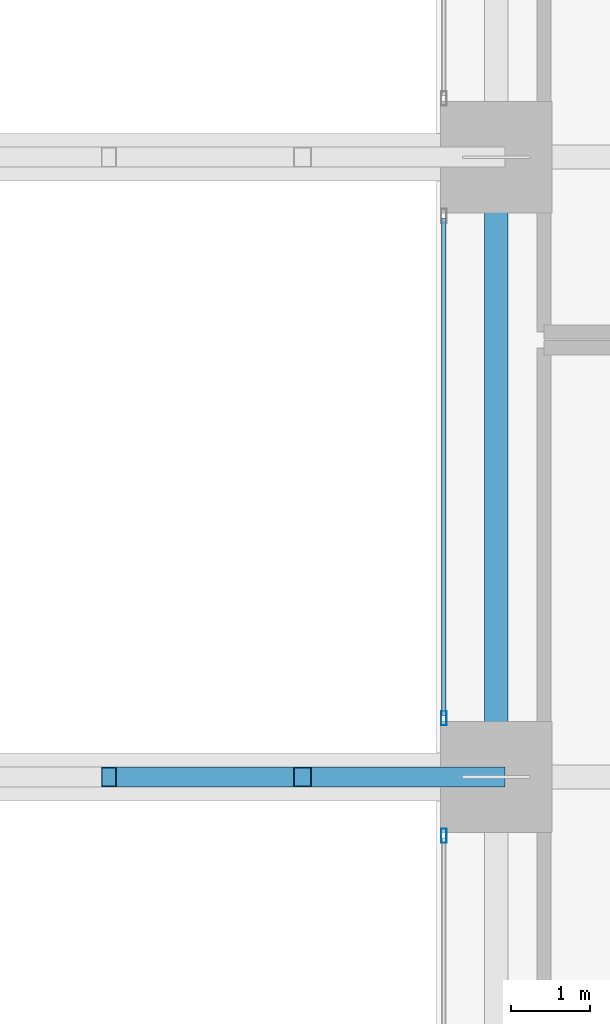
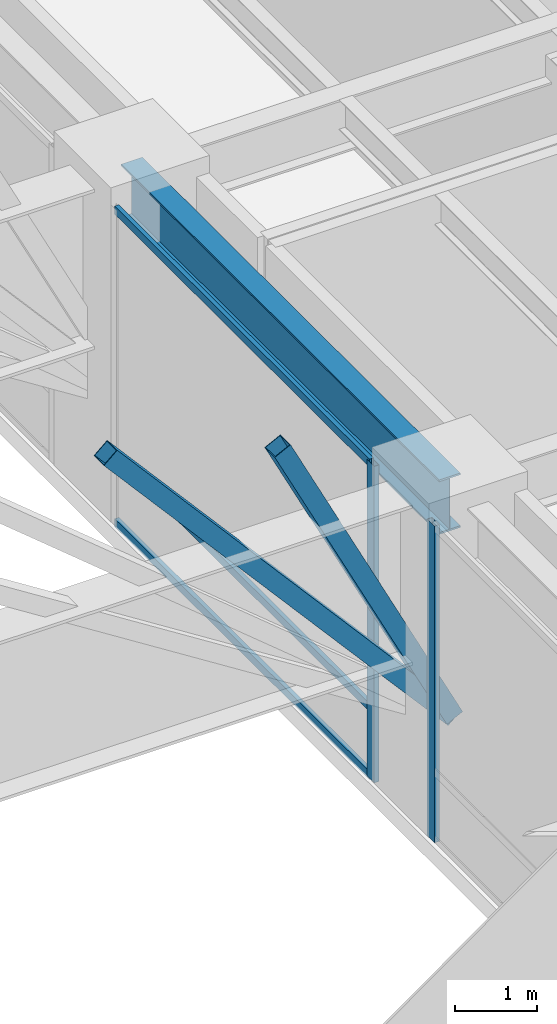
# One storey, part 16 of 39: 7 members, 1 beam, 2 elements without a shape of their own.
"""IFC4 building model written with IfcOpenShell, lengths in metres."""

import ifcopenshell
import ifcopenshell.guid

model = None  # the IFC model being written
_history = None  # IfcOwnerHistory: only IFC2X3 demands one
_inside = {}  # id of a spatial element -> (the spatial element, [elements in it])
_under = {}  # id of a project, library or spatial element -> (it, [spatial elements below it])
_declared = {}  # id of a project -> (the project, [libraries it declares])
_typed = {}  # id of a type object -> (the type object, [elements of that type])
_made_of = {}  # id of a material, layer set ... -> (it, [elements and type objects made of it])


def new_model(schema):
    """Start an empty IFC model of exactly this schema.

    Asked for "IFC4X3", IfcOpenShell would pick the latest addendum, in which some entities
    have other attributes; the version numbers below select the first issue.
    IFC2X3 requires an IfcOwnerHistory on every rooted entity: one is made here for all.
    """
    global model, _history
    if schema == "IFC4X3":
        model = ifcopenshell.file(schema_version=(4, 3, 0, 0))
    else:
        model = ifcopenshell.file(schema=schema)
    _inside.clear()
    _under.clear()
    _declared.clear()
    _typed.clear()
    _made_of.clear()
    _history = None
    if model.schema == "IFC2X3":
        org = make("IfcOrganization", Name="unknown")
        user = make(
            "IfcPersonAndOrganization",
            ThePerson=make("IfcPerson", FamilyName="unknown"),
            TheOrganization=org,
        )
        app = make(
            "IfcApplication",
            ApplicationDeveloper=org,
            Version="unknown",
            ApplicationFullName="unknown",
            ApplicationIdentifier="unknown",
        )
        _history = make(
            "IfcOwnerHistory",
            OwningUser=user,
            OwningApplication=app,
            ChangeAction="ADDED",
            CreationDate=0,
        )
    return model


def make(cls, **values):
    """One entity of the class cls with the attributes given. An attribute that is None is left unset."""
    return model.create_entity(
        cls, **{name: value for name, value in values.items() if value is not None}
    )


def rooted(cls, **values):
    """An entity with a GlobalId (a new one), such as an element, a storey or a relation."""
    return make(cls, GlobalId=ifcopenshell.guid.new(), OwnerHistory=_history, **values)


def si_unit(unit_type, name, prefix=None):
    """IfcSIUnit, for example si_unit("LENGTHUNIT", "METRE", prefix="MILLI")."""
    return make("IfcSIUnit", UnitType=unit_type, Prefix=prefix, Name=name)


def assignment(units):
    """IfcUnitAssignment: the units of a project."""
    return None if units is None else make("IfcUnitAssignment", Units=units)


def point(xyz):
    """IfcCartesianPoint."""
    return None if xyz is None else make("IfcCartesianPoint", Coordinates=xyz)


def direction(xyz):
    """IfcDirection."""
    return None if xyz is None else make("IfcDirection", DirectionRatios=xyz)


def frame(location, z_axis=None, x_axis=None):
    """IfcAxis2Placement3D, a coordinate frame: its origin and axes. An axis left out is left unset."""
    return make(
        "IfcAxis2Placement3D",
        Location=point(location),
        Axis=direction(z_axis),
        RefDirection=direction(x_axis),
    )


def frame_2d(location, x_axis=None):
    """IfcAxis2Placement2D, a coordinate frame in the plane: its origin and x axis."""
    return make(
        "IfcAxis2Placement2D", Location=point(location), RefDirection=direction(x_axis)
    )


def origin():
    """The frame at (0, 0, 0) with its axes left unset."""
    return frame((0.0, 0.0, 0.0))


def origin_2d():
    """The frame at (0, 0) in the plane with its x axis left unset."""
    return frame_2d((0.0, 0.0))


def place(relative_to, where):
    """IfcLocalPlacement: puts the frame where relative to a parent placement (None: the world)."""
    return make(
        "IfcLocalPlacement", PlacementRelTo=relative_to, RelativePlacement=where
    )


def context(
    kind, dimensions, precision=None, world=None, true_north=None, identifier=None
):
    """IfcGeometricRepresentationContext, for example the 3D "Model" context."""
    return make(
        "IfcGeometricRepresentationContext",
        ContextIdentifier=identifier,
        ContextType=kind,
        CoordinateSpaceDimension=dimensions,
        Precision=precision,
        WorldCoordinateSystem=world,
        TrueNorth=true_north,
    )


def subcontext(parent, identifier, kind, view, scale=None):
    """IfcGeometricRepresentationSubContext, for example "Body" below "Model"."""
    return make(
        "IfcGeometricRepresentationSubContext",
        ContextIdentifier=identifier,
        ContextType=kind,
        ParentContext=parent,
        TargetScale=scale,
        TargetView=view,
    )


def project(units=None, contexts=None):
    """IfcProject with its units and contexts."""
    return rooted(
        "IfcProject",
        Name="project",
        RepresentationContexts=contexts,
        UnitsInContext=assignment(units),
    )


def spatial(cls, under=None, at=None, **own):
    """A site, building, storey or space (cls), placed at a placement, below another one or the project."""
    s = rooted(cls, ObjectPlacement=at, **own)
    if under is not None:
        _under.setdefault(under.id(), (under, []))[1].append(s)
    return s


def profile(cls, at=None, kind="AREA", **sizes):
    """A parametric profile (cls). Its sizes go by their IFC names, for example OverallWidth=200.0."""
    return make(cls, ProfileType=kind, Position=at, **sizes)


def hollow_rectangle(**sizes):
    """IfcRectangleHollowProfileDef."""
    return profile("IfcRectangleHollowProfileDef", **sizes)


def i_section(**sizes):
    """IfcIShapeProfileDef."""
    return profile("IfcIShapeProfileDef", **sizes)


def extrude(swept, where, along, depth):
    """IfcExtrudedAreaSolid: the profile swept, set in the frame where, extruded along a direction by depth."""
    return make(
        "IfcExtrudedAreaSolid",
        SweptArea=swept,
        Position=where,
        ExtrudedDirection=direction(along),
        Depth=depth,
    )


def shape(context_of_items, identifier, shape_type, items):
    """IfcShapeRepresentation: the items that make up one representation, for example the "Body"."""
    return make(
        "IfcShapeRepresentation",
        ContextOfItems=context_of_items,
        RepresentationIdentifier=identifier,
        RepresentationType=shape_type,
        Items=items,
    )


def source(mapping_origin, context_of_items, identifier, shape_type, items):
    """IfcRepresentationMap: a shape defined once, which mapped items show again and again."""
    return make(
        "IfcRepresentationMap",
        MappingOrigin=mapping_origin,
        MappedRepresentation=shape(context_of_items, identifier, shape_type, items),
    )


def transform(
    local_origin,
    x_axis=None,
    y_axis=None,
    z_axis=None,
    scale=None,
    scale2=None,
    scale3=None,
    uniform=True,
):
    """IfcCartesianTransformationOperator3D, or its non-uniform kind. x_axis, y_axis, z_axis: its Axis1, 2, 3."""
    if uniform:
        return make(
            "IfcCartesianTransformationOperator3D",
            Axis1=direction(x_axis),
            Axis2=direction(y_axis),
            LocalOrigin=point(local_origin),
            Scale=scale,
            Axis3=direction(z_axis),
        )
    return make(
        "IfcCartesianTransformationOperator3DnonUniform",
        Axis1=direction(x_axis),
        Axis2=direction(y_axis),
        LocalOrigin=point(local_origin),
        Scale=scale,
        Axis3=direction(z_axis),
        Scale2=scale2,
        Scale3=scale3,
    )


def mapped(mapping_source, mapping_target):
    """IfcMappedItem: shows the shape of a source again, moved by a transform."""
    return make(
        "IfcMappedItem", MappingSource=mapping_source, MappingTarget=mapping_target
    )


def material(Name=None, Category=None):
    """IfcMaterial."""
    return make("IfcMaterial", Name=Name, Category=Category)


def layer(
    of_material, thickness, ventilated=None, Name=None, Category=None, Priority=None
):
    """IfcMaterialLayer: one layer of a wall or slab, of a material (None: an air gap)."""
    return make(
        "IfcMaterialLayer",
        Material=of_material,
        LayerThickness=thickness,
        IsVentilated=ventilated,
        Name=Name,
        Category=Category,
        Priority=Priority,
    )


def layer_set(layers, Name=None):
    """IfcMaterialLayerSet."""
    return make("IfcMaterialLayerSet", MaterialLayers=layers, LayerSetName=Name)


def material_profile(
    of_material, cross_section, Name=None, Category=None, Priority=None
):
    """IfcMaterialProfile: a cross section and its material."""
    return make(
        "IfcMaterialProfile",
        Name=Name,
        Material=of_material,
        Profile=cross_section,
        Priority=Priority,
        Category=Category,
    )


def profile_set(profiles, Name=None, composite=None):
    """IfcMaterialProfileSet."""
    return make(
        "IfcMaterialProfileSet",
        Name=Name,
        MaterialProfiles=profiles,
        CompositeProfile=composite,
    )


def made_of(thing, what):
    """Note that an element or type object is made of a material, layer set ...; save() writes the relation."""
    if what is not None:
        _made_of.setdefault(what.id(), (what, []))[1].append(thing)
    return thing


def type_object(cls, material=None, **own):
    """A type object (cls), such as IfcWallType, which elements share."""
    return made_of(rooted(cls, **own), material)


def type_shapes(of_type, sources):
    """Give a type object the sources (RepresentationMaps) that its elements show as mapped items."""
    of_type.RepresentationMaps = sources


def element(
    cls,
    number,
    at=None,
    inside=None,
    cuts=None,
    type_object=None,
    material=None,
    context=None,
    identifier="Body",
    shape_type=None,
    held_by="IfcProductDefinitionShape",
    body=None,
    shapes=None,
    **own,
):
    """One element of the class cls, such as IfcWall. Its Tag is "e" and its number.

    at: its placement. inside: the storey or other place that contains it. cuts: it is an
    opening in that element (IfcRelVoidsElement). A single representation is given by context,
    identifier, shape_type and body (its items); several are given by shapes. held_by: the class
    of the entity that holds the representations. save() writes the other relations.
    """
    e = rooted(cls, Tag="e%d" % number, ObjectPlacement=at, **own)
    if body is not None:
        shapes = [shape(context, identifier, shape_type, body)]
    if shapes is not None:
        e.Representation = make(held_by, Representations=shapes)
    if inside is not None:
        _inside.setdefault(inside.id(), (inside, []))[1].append(e)
    if cuts is not None:
        rooted(
            "IfcRelVoidsElement", RelatingBuildingElement=cuts, RelatedOpeningElement=e
        )
    if type_object is not None:
        _typed.setdefault(type_object.id(), (type_object, []))[1].append(e)
    return made_of(e, material)


def aggregate(whole, parts):
    """IfcRelAggregates: a whole, such as a stair, and the parts it consists of."""
    return rooted("IfcRelAggregates", RelatingObject=whole, RelatedObjects=parts)


def save(model, path):
    """Write the relations noted so far, then the file.

    IfcRelAggregates (storeys below a building ...), IfcRelContainedInSpatialStructure (elements
    in a storey), IfcRelDefinesByType, IfcRelAssociatesMaterial and IfcRelDeclares: one each for
    every whole, place, type object, material and project.
    """
    for whole, parts in _under.values():
        aggregate(whole, parts)
    for where, things in _inside.values():
        rooted(
            "IfcRelContainedInSpatialStructure",
            RelatedElements=things,
            RelatingStructure=where,
        )
    for kind, things in _typed.values():
        rooted("IfcRelDefinesByType", RelatedObjects=things, RelatingType=kind)
    for what, things in _made_of.values():
        rooted("IfcRelAssociatesMaterial", RelatedObjects=things, RelatingMaterial=what)
    for by, libraries in _declared.values():
        rooted("IfcRelDeclares", RelatingContext=by, RelatedDefinitions=libraries)
    model.write(path)


model = new_model("IFC4")

# Units and contexts
model_context = context("Model", 3, precision=1e-05, world=origin(), true_north=direction((0.0, 1.0)))
body_context = subcontext(model_context, "Body", "Model", "MODEL_VIEW")
ifc_project = project(units=[si_unit("LENGTHUNIT", "METRE"), si_unit("AREAUNIT", "SQUARE_METRE"), si_unit("VOLUMEUNIT", "CUBIC_METRE"), si_unit("PLANEANGLEUNIT", "RADIAN"), si_unit("MASSUNIT", "GRAM", prefix="KILO")], contexts=[model_context])

# Site, building, storey
site_placement = place(None, origin())
site = spatial("IfcSite", under=ifc_project, at=site_placement, CompositionType="ELEMENT")
building_placement = place(site_placement, origin())
building = spatial("IfcBuilding", under=site, at=building_placement, Name="Tolvann Quenvar Hotel", CompositionType="ELEMENT")
storey_placement = place(building_placement, frame((0.0, 0.0, 11.0)))
storey = spatial("IfcBuildingStorey", under=building, at=storey_placement, Name="L02", CompositionType="ELEMENT", Elevation=11.0)

# Beam
ifc_material_1 = material(Name="Steel Grade 350", Category="steel")
ifc_material_profile_1 = material_profile(ifc_material_1, i_section(OverallWidth=0.300048828125, OverallDepth=0.81591796875, WebThickness=0.010009765625, FlangeThickness=0.028076171875, at=origin_2d()), Name="800WB192")
ifc_profile_set_1 = profile_set([ifc_material_profile_1], Name="Steel Grade 350")
beam_type = type_object("IfcBeamType", Name="BM_GIRD_800WB192", PredefinedType="BEAM", material=ifc_profile_set_1)
shared_shape_1 = source(origin(), body_context, "Body", "SweptSolid", [
    extrude(i_section(OverallWidth=0.300048828125, OverallDepth=0.81591796875, WebThickness=0.010009765625, FlangeThickness=0.028076171875, at=origin_2d()), origin(), (0.0, 0.0, 1.0), 7.800048828125),
])
type_shapes(beam_type, [shared_shape_1])
beam_placement = place(storey_placement, frame((38.25, 8.199951171875, 4.33203125), z_axis=(0.0, 1.0, 0.0), x_axis=(-1.0, 0.0, 0.0)))
element("IfcBeam", 1, at=beam_placement, inside=storey, type_object=beam_type, Name="BM-L02-NS-APE-1", PredefinedType="BEAM", context=body_context, shape_type="MappedRepresentation", body=[
    mapped(shared_shape_1, transform((0.0, 0.0, 0.0), x_axis=(1.0, 0.0, 0.0), y_axis=(0.0, 1.0, 0.0), z_axis=(0.0, 0.0, 1.0), scale=1.0)),
])

# Members
ifc_material_2 = material(Name="Steel Grade 450 (C450L0)", Category="steel")
ifc_material_profile_2 = material_profile(ifc_material_2, hollow_rectangle(XDim=0.25, YDim=0.25, WallThickness=0.010009765625, at=origin_2d()), Name="250x250x10SHS")
ifc_profile_set_2 = profile_set([ifc_material_profile_2], Name="Steel Grade 450 (C450L0)")
member_type_1 = type_object("IfcMemberType", Name="MEM_POST_250SHS", PredefinedType="POST", material=ifc_profile_set_2)
shared_shape_2 = source(origin(), body_context, "Body", "SweptSolid", [
    extrude(hollow_rectangle(XDim=0.25, YDim=0.25, WallThickness=0.010009765625, at=origin_2d()), origin(), (0.0, 0.0, 1.0), 5.42822265625),
])
member_1_placement = place(storey_placement, frame((38.25, 8.199951171875, 1.199951171875), z_axis=(-0.449047704996, 0.0, 0.893507783199), x_axis=(0.0, -1.0, 0.0)))
element("IfcMember", 2, at=member_1_placement, inside=storey, type_object=member_type_1, Name="Arch Radial Support Strut F2-K7", PredefinedType="POST", context=body_context, shape_type="MappedRepresentation", body=[
    mapped(shared_shape_2, transform((0.0, 0.0, 0.0), x_axis=(1.0, 0.0, 0.0), y_axis=(0.0, 1.0, 0.0), z_axis=(0.0, 0.0, 1.0), scale=1.0)),
])
shared_shape_3 = source(origin(), body_context, "Body", "SweptSolid", [
    extrude(hollow_rectangle(XDim=0.25, YDim=0.25, WallThickness=0.010009765625, at=origin_2d()), origin(), (0.0, 0.0, 1.0), 7.4248046875),
])
type_shapes(member_type_1, [shared_shape_2, shared_shape_3])
member_2_placement = place(storey_placement, frame((38.25, 8.199951171875, 1.199951171875), z_axis=(-0.656588918044, 0.0, 0.754248627909), x_axis=(0.0, -1.0, 0.0)))
element("IfcMember", 3, at=member_2_placement, inside=storey, type_object=member_type_1, Name="Arch Radial Support Strut F2-K6", PredefinedType="POST", context=body_context, shape_type="MappedRepresentation", body=[
    mapped(shared_shape_3, transform((0.0, 0.0, 0.0), x_axis=(1.0, 0.0, 0.0), y_axis=(0.0, 1.0, 0.0), z_axis=(0.0, 0.0, 1.0), scale=1.0)),
])

# Curtain wall, members
ifc_material_3 = material(Name="Thermally broken anodised architectural aluminium 6063-T6 and laminated low-E glass", Category="aluminium")
ifc_layer = layer(ifc_material_3, 0.179931640625)
ifc_layer_set = layer_set([ifc_layer], Name="Thermally broken anodised architectural aluminium 6063-T6 and laminated low-E glass")
curtain_wall_type = type_object("IfcCurtainWallType", Name="CW_SYS_ARCH_01", PredefinedType="USERDEFINED", material=ifc_layer_set)
curtain_wall_1_placement = place(storey_placement, origin())
curtain_wall_1 = element("IfcCurtainWall", 4, at=curtain_wall_1_placement, inside=storey, type_object=curtain_wall_type, Name="Curtain Wall CW-ARCH-01 (CWR-L02-E03-S3)", ObjectType="UNITISED CURTAIN WALL", PredefinedType="USERDEFINED")
ifc_material_4 = material(Name="Anodised architectural aluminium 6063-T6 framing", Category="aluminium")
ifc_material_profile_3 = material_profile(ifc_material_4, hollow_rectangle(XDim=0.06005859375, YDim=0.1201171875, WallThickness=0.00341796875, at=origin_2d()), Name="120x60x3.5RHS")
ifc_profile_set_3 = profile_set([ifc_material_profile_3], Name="Anodised architectural aluminium 6063-T6 framing")
member_type_2 = type_object("IfcMemberType", Name="CW_TRAN_120x60", PredefinedType="USERDEFINED", material=ifc_profile_set_3)
shared_shape_4 = source(origin(), body_context, "Body", "SweptSolid", [
    extrude(hollow_rectangle(XDim=0.06005859375, YDim=0.1201171875, WallThickness=0.00341796875, at=origin_2d()), origin(), (0.0, 0.0, 1.0), 6.251953125),
])
type_shapes(member_type_2, [shared_shape_4])
member_3_placement = place(storey_placement, frame((37.590087890625, 15.22607421875, 0.030029296875), z_axis=(0.0, -1.0, 0.0), x_axis=(1.0, 0.0, 0.0)))
member_3 = element("IfcMember", 5, at=member_3_placement, type_object=member_type_2, Name="CW-ARCH-01 transom 1.1", ObjectType="TRANSOM", PredefinedType="USERDEFINED", context=body_context, shape_type="MappedRepresentation", body=[
    mapped(shared_shape_4, transform((0.0, 0.0, 0.0), x_axis=(1.0, 0.0, 0.0), y_axis=(0.0, 1.0, 0.0), z_axis=(0.0, 0.0, 1.0), scale=1.0)),
])
member_4_placement = place(storey_placement, frame((37.590087890625, 15.22607421875, 1.050048828125), z_axis=(0.0, -1.0, 0.0), x_axis=(1.0, 0.0, 0.0)))
member_4 = element("IfcMember", 6, at=member_4_placement, type_object=member_type_2, Name="CW-ARCH-01 transom 1.2", ObjectType="TRANSOM", PredefinedType="USERDEFINED", context=body_context, shape_type="MappedRepresentation", body=[
    mapped(shared_shape_4, transform((0.0, 0.0, 0.0), x_axis=(1.0, 0.0, 0.0), y_axis=(0.0, 1.0, 0.0), z_axis=(0.0, 0.0, 1.0), scale=1.0)),
])
member_5_placement = place(storey_placement, frame((37.590087890625, 15.22607421875, 4.7099609375), z_axis=(0.0, -1.0, 0.0), x_axis=(1.0, 0.0, 0.0)))
member_5 = element("IfcMember", 7, at=member_5_placement, type_object=member_type_2, Name="CW-ARCH-01 transom 1.3", ObjectType="TRANSOM", PredefinedType="USERDEFINED", context=body_context, shape_type="MappedRepresentation", body=[
    mapped(shared_shape_4, transform((0.0, 0.0, 0.0), x_axis=(1.0, 0.0, 0.0), y_axis=(0.0, 1.0, 0.0), z_axis=(0.0, 0.0, 1.0), scale=1.0)),
])
ifc_material_profile_4 = material_profile(ifc_material_4, hollow_rectangle(XDim=0.070068359375, YDim=0.179931640625, WallThickness=0.00390625, at=origin_2d()), Name="180x70x4RHS")
ifc_profile_set_4 = profile_set([ifc_material_profile_4], Name="Anodised architectural aluminium 6063-T6 framing")
member_type_3 = type_object("IfcMemberType", Name="CW_MULL_180x70", PredefinedType="MULLION", material=ifc_profile_set_4)
shared_shape_5 = source(origin(), body_context, "Body", "SweptSolid", [
    extrude(hollow_rectangle(XDim=0.070068359375, YDim=0.179931640625, WallThickness=0.00390625, at=origin_2d()), origin(), (0.0, 0.0, 1.0), 4.739990234375),
])
type_shapes(member_type_3, [shared_shape_5])
member_6_placement = place(storey_placement, frame((37.590087890625, 8.93896484375, 0.0), z_axis=(0.0, 0.0, 1.0), x_axis=(1.0, 0.0, 0.0)))
member_6 = element("IfcMember", 8, at=member_6_placement, type_object=member_type_3, Name="CW-ARCH-01 mullion 2", PredefinedType="MULLION", context=body_context, shape_type="MappedRepresentation", body=[
    mapped(shared_shape_5, transform((0.0, 0.0, 0.0), x_axis=(1.0, 0.0, 0.0), y_axis=(0.0, 1.0, 0.0), z_axis=(0.0, 0.0, 1.0), scale=1.0)),
])
aggregate(curtain_wall_1, [member_6, member_3, member_4, member_5])

# Curtain wall, member
curtain_wall_2_placement = place(storey_placement, origin())
curtain_wall_2 = element("IfcCurtainWall", 9, at=curtain_wall_2_placement, inside=storey, type_object=curtain_wall_type, Name="Curtain Wall CW-ARCH-01 (CWR-L02-E03-S4)", ObjectType="UNITISED CURTAIN WALL", PredefinedType="USERDEFINED")
member_7_placement = place(storey_placement, frame((37.590087890625, 7.4609375, 0.0), z_axis=(0.0, 0.0, 1.0), x_axis=(1.0, 0.0, 0.0)))
member_7 = element("IfcMember", 10, at=member_7_placement, type_object=member_type_3, Name="CW-ARCH-01 mullion 1", PredefinedType="MULLION", context=body_context, shape_type="MappedRepresentation", body=[
    mapped(shared_shape_5, transform((0.0, 0.0, 0.0), x_axis=(1.0, 0.0, 0.0), y_axis=(0.0, 1.0, 0.0), z_axis=(0.0, 0.0, 1.0), scale=1.0)),
])
aggregate(curtain_wall_2, [member_7])

save(model, "model.ifc")
